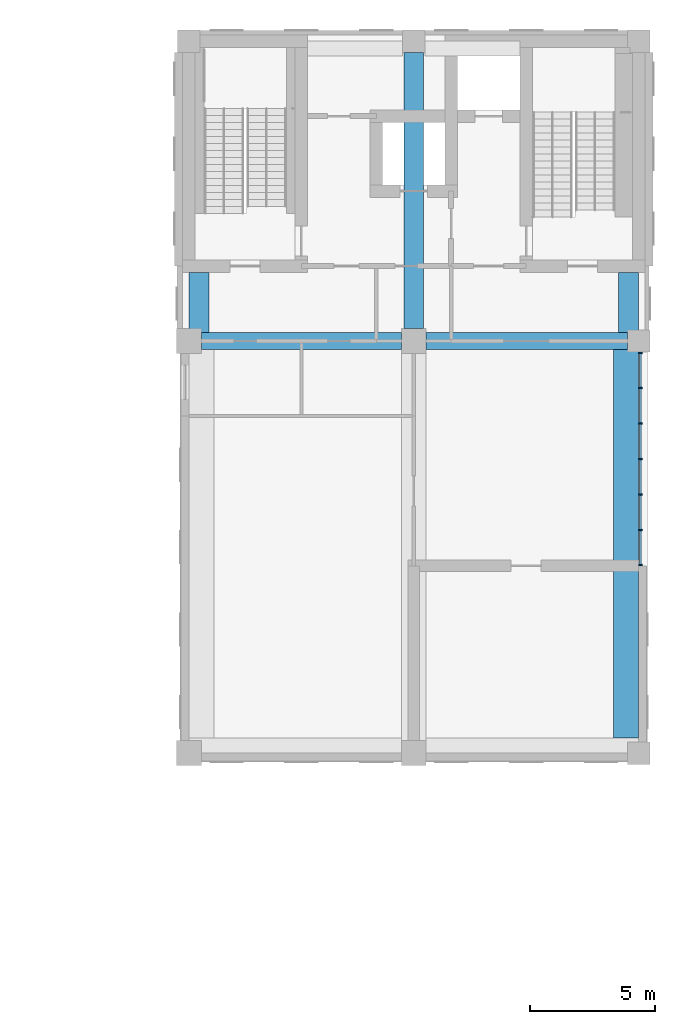
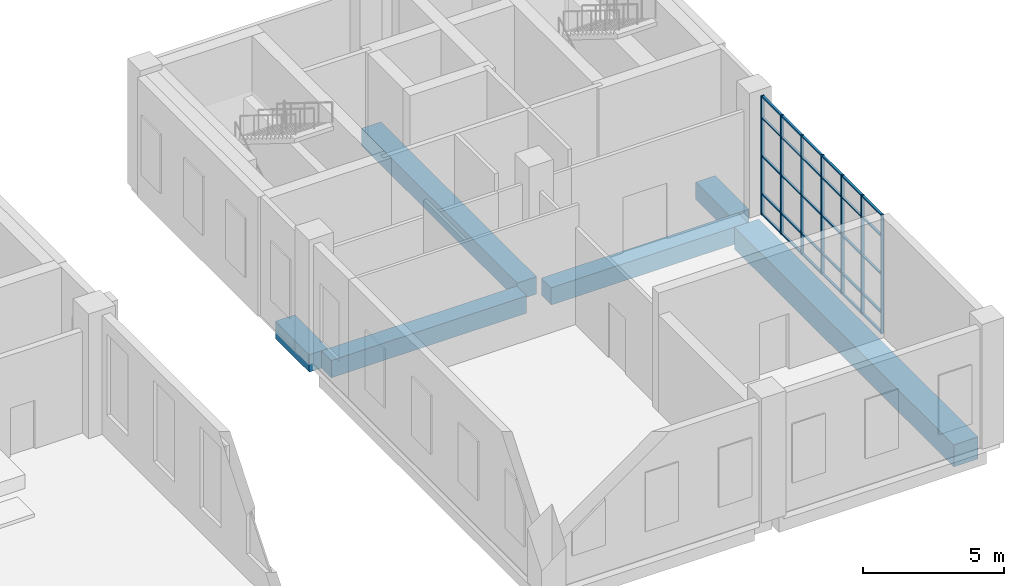
# One storey, part 7 of 37: 37 members, 6 beams, 1 element without a shape of its own.
"""IFC4 building model written with IfcOpenShell, lengths in metres."""

from ifc_helpers import new_model, si_unit, direction, frame, origin, origin_2d, place, context, subcontext, project, spatial, rectangle, extrude, material, layer, layer_set, material_profile, profile_set, type_object, element, aggregate, save


model = new_model("IFC4")

# Units and contexts
model_context = context("Model", 3, precision=1e-05, world=origin(), true_north=direction((0.0, 1.0)))
body_context = subcontext(model_context, "Body", "Model", "MODEL_VIEW")
ifc_project = project(units=[si_unit("LENGTHUNIT", "METRE"), si_unit("AREAUNIT", "SQUARE_METRE"), si_unit("VOLUMEUNIT", "CUBIC_METRE"), si_unit("PLANEANGLEUNIT", "RADIAN"), si_unit("MASSUNIT", "GRAM", prefix="KILO")], contexts=[model_context])

# Site, building, storey
site_placement = place(None, origin())
site = spatial("IfcSite", under=ifc_project, at=site_placement, CompositionType="ELEMENT")
building_placement = place(site_placement, origin())
building = spatial("IfcBuilding", under=site, at=building_placement, Name="Aurelan Courthouse", CompositionType="ELEMENT")
storey_placement = place(building_placement, frame((0.0, 0.0, 17.39990234375)))
storey = spatial("IfcBuildingStorey", under=building, at=storey_placement, Name="L03", CompositionType="ELEMENT", Elevation=17.39990234375)

# Curtain wall, members
ifc_material_1 = material(Name="Bronze-finished aluminium and glass", Category="aluminium")
ifc_layer = layer(ifc_material_1, 0.14990234375)
ifc_layer_set = layer_set([ifc_layer], Name="Bronze-finished aluminium and glass")
curtain_wall_type = type_object("IfcCurtainWallType", Name="Curtain wall 8550 x 5150", PredefinedType="NOTDEFINED", material=ifc_layer_set)
curtain_wall_placement = place(storey_placement, origin())
curtain_wall = element("IfcCurtainWall", 1, at=curtain_wall_placement, inside=storey, type_object=curtain_wall_type, Name="Curtain wall CW-V3-L03-E01", PredefinedType="NOTDEFINED")
ifc_material_2 = material(Name="Bronze-finished aluminium", Category="aluminium")
ifc_material_profile_1 = material_profile(ifc_material_2, rectangle(XDim=0.125, YDim=0.06005859375, at=origin_2d()), Name="Bronze mullion 60 x 125")
ifc_profile_set_1 = profile_set([ifc_material_profile_1], Name="Bronze-finished aluminium")
member_type_1 = type_object("IfcMemberType", Name="Curtain wall mullion 60 x 125", PredefinedType="MULLION", material=ifc_profile_set_1)
member_1_placement = place(storey_placement, frame((90.074951171875, 45.030029296875, 0.0), z_axis=(0.0, 0.0, 1.0), x_axis=(-1.0, 0.0, 0.0)))
member_1 = element("IfcMember", 2, at=member_1_placement, type_object=member_type_1, Name="CW-V3-L03-E01 mullion 1", PredefinedType="MULLION", context=body_context, shape_type="SweptSolid", body=[
    extrude(rectangle(XDim=0.125, YDim=0.06005859375, at=origin_2d()), origin(), (0.0, 0.0, 1.0), 5.150146484375),
])
member_2_placement = place(storey_placement, frame((90.074951171875, 46.425048828125, 0.0), z_axis=(0.0, 0.0, 1.0), x_axis=(-1.0, 0.0, 0.0)))
member_2 = element("IfcMember", 3, at=member_2_placement, type_object=member_type_1, Name="CW-V3-L03-E01 mullion 2", PredefinedType="MULLION", context=body_context, shape_type="SweptSolid", body=[
    extrude(rectangle(XDim=0.125, YDim=0.06005859375, at=origin_2d()), origin(), (0.0, 0.0, 1.0), 5.150146484375),
])
member_3_placement = place(storey_placement, frame((90.074951171875, 47.85009765625, 0.0), z_axis=(0.0, 0.0, 1.0), x_axis=(-1.0, 0.0, 0.0)))
member_3 = element("IfcMember", 4, at=member_3_placement, type_object=member_type_1, Name="CW-V3-L03-E01 mullion 3", PredefinedType="MULLION", context=body_context, shape_type="SweptSolid", body=[
    extrude(rectangle(XDim=0.125, YDim=0.06005859375, at=origin_2d()), origin(), (0.0, 0.0, 1.0), 5.150146484375),
])
member_4_placement = place(storey_placement, frame((90.074951171875, 49.27490234375, 0.0), z_axis=(0.0, 0.0, 1.0), x_axis=(-1.0, 0.0, 0.0)))
member_4 = element("IfcMember", 5, at=member_4_placement, type_object=member_type_1, Name="CW-V3-L03-E01 mullion 4", PredefinedType="MULLION", context=body_context, shape_type="SweptSolid", body=[
    extrude(rectangle(XDim=0.125, YDim=0.06005859375, at=origin_2d()), origin(), (0.0, 0.0, 1.0), 5.150146484375),
])
member_5_placement = place(storey_placement, frame((90.074951171875, 50.699951171875, 0.0), z_axis=(0.0, 0.0, 1.0), x_axis=(-1.0, 0.0, 0.0)))
member_5 = element("IfcMember", 6, at=member_5_placement, type_object=member_type_1, Name="CW-V3-L03-E01 mullion 5", PredefinedType="MULLION", context=body_context, shape_type="SweptSolid", body=[
    extrude(rectangle(XDim=0.125, YDim=0.06005859375, at=origin_2d()), origin(), (0.0, 0.0, 1.0), 5.150146484375),
])
member_6_placement = place(storey_placement, frame((90.074951171875, 52.125, 0.0), z_axis=(0.0, 0.0, 1.0), x_axis=(-1.0, 0.0, 0.0)))
member_6 = element("IfcMember", 7, at=member_6_placement, type_object=member_type_1, Name="CW-V3-L03-E01 mullion 6", PredefinedType="MULLION", context=body_context, shape_type="SweptSolid", body=[
    extrude(rectangle(XDim=0.125, YDim=0.06005859375, at=origin_2d()), origin(), (0.0, 0.0, 1.0), 5.150146484375),
])
member_7_placement = place(storey_placement, frame((90.074951171875, 53.52001953125, 0.0), z_axis=(0.0, 0.0, 1.0), x_axis=(-1.0, 0.0, 0.0)))
member_7 = element("IfcMember", 8, at=member_7_placement, type_object=member_type_1, Name="CW-V3-L03-E01 mullion 7", PredefinedType="MULLION", context=body_context, shape_type="SweptSolid", body=[
    extrude(rectangle(XDim=0.125, YDim=0.06005859375, at=origin_2d()), origin(), (0.0, 0.0, 1.0), 5.150146484375),
])
ifc_material_profile_2 = material_profile(ifc_material_2, rectangle(XDim=0.090087890625, YDim=0.06005859375, at=origin_2d()), Name="Bronze transom 60 x 90")
ifc_profile_set_2 = profile_set([ifc_material_profile_2], Name="Bronze-finished aluminium")
member_type_2 = type_object("IfcMemberType", Name="Curtain wall transom 60 x 90", PredefinedType="USERDEFINED", material=ifc_profile_set_2)
member_8_placement = place(storey_placement, frame((90.074951171875, 45.06005859375, 0.030029296875), z_axis=(0.0, 1.0, 0.0), x_axis=(-1.0, 0.0, 0.0)))
member_8 = element("IfcMember", 9, at=member_8_placement, type_object=member_type_2, Name="CW-V3-L03-E01 transom 1.1", ObjectType="TRANSOM", PredefinedType="USERDEFINED", context=body_context, shape_type="SweptSolid", body=[
    extrude(rectangle(XDim=0.090087890625, YDim=0.06005859375, at=origin_2d()), origin(), (0.0, 0.0, 1.0), 1.3349609375),
])
member_9_placement = place(storey_placement, frame((90.074951171875, 45.06005859375, 0.900146484375), z_axis=(0.0, 1.0, 0.0), x_axis=(-1.0, 0.0, 0.0)))
member_9 = element("IfcMember", 10, at=member_9_placement, type_object=member_type_2, Name="CW-V3-L03-E01 transom 1.2", ObjectType="TRANSOM", PredefinedType="USERDEFINED", context=body_context, shape_type="SweptSolid", body=[
    extrude(rectangle(XDim=0.090087890625, YDim=0.06005859375, at=origin_2d()), origin(), (0.0, 0.0, 1.0), 1.3349609375),
])
member_10_placement = place(storey_placement, frame((90.074951171875, 45.06005859375, 2.550048828125), z_axis=(0.0, 1.0, 0.0), x_axis=(-1.0, 0.0, 0.0)))
member_10 = element("IfcMember", 11, at=member_10_placement, type_object=member_type_2, Name="CW-V3-L03-E01 transom 1.3", ObjectType="TRANSOM", PredefinedType="USERDEFINED", context=body_context, shape_type="SweptSolid", body=[
    extrude(rectangle(XDim=0.090087890625, YDim=0.06005859375, at=origin_2d()), origin(), (0.0, 0.0, 1.0), 1.3349609375),
])
member_11_placement = place(storey_placement, frame((90.074951171875, 45.06005859375, 4.2001953125), z_axis=(0.0, 1.0, 0.0), x_axis=(-1.0, 0.0, 0.0)))
member_11 = element("IfcMember", 12, at=member_11_placement, type_object=member_type_2, Name="CW-V3-L03-E01 transom 1.4", ObjectType="TRANSOM", PredefinedType="USERDEFINED", context=body_context, shape_type="SweptSolid", body=[
    extrude(rectangle(XDim=0.090087890625, YDim=0.06005859375, at=origin_2d()), origin(), (0.0, 0.0, 1.0), 1.3349609375),
])
member_12_placement = place(storey_placement, frame((90.074951171875, 45.06005859375, 5.1201171875), z_axis=(0.0, 1.0, 0.0), x_axis=(-1.0, 0.0, 0.0)))
member_12 = element("IfcMember", 13, at=member_12_placement, type_object=member_type_2, Name="CW-V3-L03-E01 transom 1.5", ObjectType="TRANSOM", PredefinedType="USERDEFINED", context=body_context, shape_type="SweptSolid", body=[
    extrude(rectangle(XDim=0.090087890625, YDim=0.06005859375, at=origin_2d()), origin(), (0.0, 0.0, 1.0), 1.3349609375),
])
member_13_placement = place(storey_placement, frame((90.074951171875, 46.455078125, 0.030029296875), z_axis=(0.0, 1.0, 0.0), x_axis=(-1.0, 0.0, 0.0)))
member_13 = element("IfcMember", 14, at=member_13_placement, type_object=member_type_2, Name="CW-V3-L03-E01 transom 2.1", ObjectType="TRANSOM", PredefinedType="USERDEFINED", context=body_context, shape_type="SweptSolid", body=[
    extrude(rectangle(XDim=0.090087890625, YDim=0.06005859375, at=origin_2d()), origin(), (0.0, 0.0, 1.0), 1.364990234375),
])
member_14_placement = place(storey_placement, frame((90.074951171875, 46.455078125, 0.900146484375), z_axis=(0.0, 1.0, 0.0), x_axis=(-1.0, 0.0, 0.0)))
member_14 = element("IfcMember", 15, at=member_14_placement, type_object=member_type_2, Name="CW-V3-L03-E01 transom 2.2", ObjectType="TRANSOM", PredefinedType="USERDEFINED", context=body_context, shape_type="SweptSolid", body=[
    extrude(rectangle(XDim=0.090087890625, YDim=0.06005859375, at=origin_2d()), origin(), (0.0, 0.0, 1.0), 1.364990234375),
])
member_15_placement = place(storey_placement, frame((90.074951171875, 46.455078125, 2.550048828125), z_axis=(0.0, 1.0, 0.0), x_axis=(-1.0, 0.0, 0.0)))
member_15 = element("IfcMember", 16, at=member_15_placement, type_object=member_type_2, Name="CW-V3-L03-E01 transom 2.3", ObjectType="TRANSOM", PredefinedType="USERDEFINED", context=body_context, shape_type="SweptSolid", body=[
    extrude(rectangle(XDim=0.090087890625, YDim=0.06005859375, at=origin_2d()), origin(), (0.0, 0.0, 1.0), 1.364990234375),
])
member_16_placement = place(storey_placement, frame((90.074951171875, 46.455078125, 4.2001953125), z_axis=(0.0, 1.0, 0.0), x_axis=(-1.0, 0.0, 0.0)))
member_16 = element("IfcMember", 17, at=member_16_placement, type_object=member_type_2, Name="CW-V3-L03-E01 transom 2.4", ObjectType="TRANSOM", PredefinedType="USERDEFINED", context=body_context, shape_type="SweptSolid", body=[
    extrude(rectangle(XDim=0.090087890625, YDim=0.06005859375, at=origin_2d()), origin(), (0.0, 0.0, 1.0), 1.364990234375),
])
member_17_placement = place(storey_placement, frame((90.074951171875, 46.455078125, 5.1201171875), z_axis=(0.0, 1.0, 0.0), x_axis=(-1.0, 0.0, 0.0)))
member_17 = element("IfcMember", 18, at=member_17_placement, type_object=member_type_2, Name="CW-V3-L03-E01 transom 2.5", ObjectType="TRANSOM", PredefinedType="USERDEFINED", context=body_context, shape_type="SweptSolid", body=[
    extrude(rectangle(XDim=0.090087890625, YDim=0.06005859375, at=origin_2d()), origin(), (0.0, 0.0, 1.0), 1.364990234375),
])
member_18_placement = place(storey_placement, frame((90.074951171875, 47.8798828125, 0.030029296875), z_axis=(0.0, 1.0, 0.0), x_axis=(-1.0, 0.0, 0.0)))
member_18 = element("IfcMember", 19, at=member_18_placement, type_object=member_type_2, Name="CW-V3-L03-E01 transom 3.1", ObjectType="TRANSOM", PredefinedType="USERDEFINED", context=body_context, shape_type="SweptSolid", body=[
    extrude(rectangle(XDim=0.090087890625, YDim=0.06005859375, at=origin_2d()), origin(), (0.0, 0.0, 1.0), 1.365234375),
])
member_19_placement = place(storey_placement, frame((90.074951171875, 47.8798828125, 0.900146484375), z_axis=(0.0, 1.0, 0.0), x_axis=(-1.0, 0.0, 0.0)))
member_19 = element("IfcMember", 20, at=member_19_placement, type_object=member_type_2, Name="CW-V3-L03-E01 transom 3.2", ObjectType="TRANSOM", PredefinedType="USERDEFINED", context=body_context, shape_type="SweptSolid", body=[
    extrude(rectangle(XDim=0.090087890625, YDim=0.06005859375, at=origin_2d()), origin(), (0.0, 0.0, 1.0), 1.365234375),
])
member_20_placement = place(storey_placement, frame((90.074951171875, 47.8798828125, 2.550048828125), z_axis=(0.0, 1.0, 0.0), x_axis=(-1.0, 0.0, 0.0)))
member_20 = element("IfcMember", 21, at=member_20_placement, type_object=member_type_2, Name="CW-V3-L03-E01 transom 3.3", ObjectType="TRANSOM", PredefinedType="USERDEFINED", context=body_context, shape_type="SweptSolid", body=[
    extrude(rectangle(XDim=0.090087890625, YDim=0.06005859375, at=origin_2d()), origin(), (0.0, 0.0, 1.0), 1.365234375),
])
member_21_placement = place(storey_placement, frame((90.074951171875, 47.8798828125, 4.2001953125), z_axis=(0.0, 1.0, 0.0), x_axis=(-1.0, 0.0, 0.0)))
member_21 = element("IfcMember", 22, at=member_21_placement, type_object=member_type_2, Name="CW-V3-L03-E01 transom 3.4", ObjectType="TRANSOM", PredefinedType="USERDEFINED", context=body_context, shape_type="SweptSolid", body=[
    extrude(rectangle(XDim=0.090087890625, YDim=0.06005859375, at=origin_2d()), origin(), (0.0, 0.0, 1.0), 1.365234375),
])
member_22_placement = place(storey_placement, frame((90.074951171875, 47.8798828125, 5.1201171875), z_axis=(0.0, 1.0, 0.0), x_axis=(-1.0, 0.0, 0.0)))
member_22 = element("IfcMember", 23, at=member_22_placement, type_object=member_type_2, Name="CW-V3-L03-E01 transom 3.5", ObjectType="TRANSOM", PredefinedType="USERDEFINED", context=body_context, shape_type="SweptSolid", body=[
    extrude(rectangle(XDim=0.090087890625, YDim=0.06005859375, at=origin_2d()), origin(), (0.0, 0.0, 1.0), 1.365234375),
])
member_23_placement = place(storey_placement, frame((90.074951171875, 49.304931640625, 0.030029296875), z_axis=(0.0, 1.0, 0.0), x_axis=(-1.0, 0.0, 0.0)))
member_23 = element("IfcMember", 24, at=member_23_placement, type_object=member_type_2, Name="CW-V3-L03-E01 transom 4.1", ObjectType="TRANSOM", PredefinedType="USERDEFINED", context=body_context, shape_type="SweptSolid", body=[
    extrude(rectangle(XDim=0.090087890625, YDim=0.06005859375, at=origin_2d()), origin(), (0.0, 0.0, 1.0), 1.364990234375),
])
member_24_placement = place(storey_placement, frame((90.074951171875, 49.304931640625, 0.900146484375), z_axis=(0.0, 1.0, 0.0), x_axis=(-1.0, 0.0, 0.0)))
member_24 = element("IfcMember", 25, at=member_24_placement, type_object=member_type_2, Name="CW-V3-L03-E01 transom 4.2", ObjectType="TRANSOM", PredefinedType="USERDEFINED", context=body_context, shape_type="SweptSolid", body=[
    extrude(rectangle(XDim=0.090087890625, YDim=0.06005859375, at=origin_2d()), origin(), (0.0, 0.0, 1.0), 1.364990234375),
])
member_25_placement = place(storey_placement, frame((90.074951171875, 49.304931640625, 2.550048828125), z_axis=(0.0, 1.0, 0.0), x_axis=(-1.0, 0.0, 0.0)))
member_25 = element("IfcMember", 26, at=member_25_placement, type_object=member_type_2, Name="CW-V3-L03-E01 transom 4.3", ObjectType="TRANSOM", PredefinedType="USERDEFINED", context=body_context, shape_type="SweptSolid", body=[
    extrude(rectangle(XDim=0.090087890625, YDim=0.06005859375, at=origin_2d()), origin(), (0.0, 0.0, 1.0), 1.364990234375),
])
member_26_placement = place(storey_placement, frame((90.074951171875, 49.304931640625, 4.2001953125), z_axis=(0.0, 1.0, 0.0), x_axis=(-1.0, 0.0, 0.0)))
member_26 = element("IfcMember", 27, at=member_26_placement, type_object=member_type_2, Name="CW-V3-L03-E01 transom 4.4", ObjectType="TRANSOM", PredefinedType="USERDEFINED", context=body_context, shape_type="SweptSolid", body=[
    extrude(rectangle(XDim=0.090087890625, YDim=0.06005859375, at=origin_2d()), origin(), (0.0, 0.0, 1.0), 1.364990234375),
])
member_27_placement = place(storey_placement, frame((90.074951171875, 49.304931640625, 5.1201171875), z_axis=(0.0, 1.0, 0.0), x_axis=(-1.0, 0.0, 0.0)))
member_27 = element("IfcMember", 28, at=member_27_placement, type_object=member_type_2, Name="CW-V3-L03-E01 transom 4.5", ObjectType="TRANSOM", PredefinedType="USERDEFINED", context=body_context, shape_type="SweptSolid", body=[
    extrude(rectangle(XDim=0.090087890625, YDim=0.06005859375, at=origin_2d()), origin(), (0.0, 0.0, 1.0), 1.364990234375),
])
member_28_placement = place(storey_placement, frame((90.074951171875, 50.72998046875, 0.030029296875), z_axis=(0.0, 1.0, 0.0), x_axis=(-1.0, 0.0, 0.0)))
member_28 = element("IfcMember", 29, at=member_28_placement, type_object=member_type_2, Name="CW-V3-L03-E01 transom 5.1", ObjectType="TRANSOM", PredefinedType="USERDEFINED", context=body_context, shape_type="SweptSolid", body=[
    extrude(rectangle(XDim=0.090087890625, YDim=0.06005859375, at=origin_2d()), origin(), (0.0, 0.0, 1.0), 1.364990234375),
])
member_29_placement = place(storey_placement, frame((90.074951171875, 50.72998046875, 0.900146484375), z_axis=(0.0, 1.0, 0.0), x_axis=(-1.0, 0.0, 0.0)))
member_29 = element("IfcMember", 30, at=member_29_placement, type_object=member_type_2, Name="CW-V3-L03-E01 transom 5.2", ObjectType="TRANSOM", PredefinedType="USERDEFINED", context=body_context, shape_type="SweptSolid", body=[
    extrude(rectangle(XDim=0.090087890625, YDim=0.06005859375, at=origin_2d()), origin(), (0.0, 0.0, 1.0), 1.364990234375),
])
member_30_placement = place(storey_placement, frame((90.074951171875, 50.72998046875, 2.550048828125), z_axis=(0.0, 1.0, 0.0), x_axis=(-1.0, 0.0, 0.0)))
member_30 = element("IfcMember", 31, at=member_30_placement, type_object=member_type_2, Name="CW-V3-L03-E01 transom 5.3", ObjectType="TRANSOM", PredefinedType="USERDEFINED", context=body_context, shape_type="SweptSolid", body=[
    extrude(rectangle(XDim=0.090087890625, YDim=0.06005859375, at=origin_2d()), origin(), (0.0, 0.0, 1.0), 1.364990234375),
])
member_31_placement = place(storey_placement, frame((90.074951171875, 50.72998046875, 4.2001953125), z_axis=(0.0, 1.0, 0.0), x_axis=(-1.0, 0.0, 0.0)))
member_31 = element("IfcMember", 32, at=member_31_placement, type_object=member_type_2, Name="CW-V3-L03-E01 transom 5.4", ObjectType="TRANSOM", PredefinedType="USERDEFINED", context=body_context, shape_type="SweptSolid", body=[
    extrude(rectangle(XDim=0.090087890625, YDim=0.06005859375, at=origin_2d()), origin(), (0.0, 0.0, 1.0), 1.364990234375),
])
member_32_placement = place(storey_placement, frame((90.074951171875, 50.72998046875, 5.1201171875), z_axis=(0.0, 1.0, 0.0), x_axis=(-1.0, 0.0, 0.0)))
member_32 = element("IfcMember", 33, at=member_32_placement, type_object=member_type_2, Name="CW-V3-L03-E01 transom 5.5", ObjectType="TRANSOM", PredefinedType="USERDEFINED", context=body_context, shape_type="SweptSolid", body=[
    extrude(rectangle(XDim=0.090087890625, YDim=0.06005859375, at=origin_2d()), origin(), (0.0, 0.0, 1.0), 1.364990234375),
])
member_33_placement = place(storey_placement, frame((90.074951171875, 52.155029296875, 0.030029296875), z_axis=(0.0, 1.0, 0.0), x_axis=(-1.0, 0.0, 0.0)))
member_33 = element("IfcMember", 34, at=member_33_placement, type_object=member_type_2, Name="CW-V3-L03-E01 transom 6.1", ObjectType="TRANSOM", PredefinedType="USERDEFINED", context=body_context, shape_type="SweptSolid", body=[
    extrude(rectangle(XDim=0.090087890625, YDim=0.06005859375, at=origin_2d()), origin(), (0.0, 0.0, 1.0), 1.3349609375),
])
member_34_placement = place(storey_placement, frame((90.074951171875, 52.155029296875, 0.900146484375), z_axis=(0.0, 1.0, 0.0), x_axis=(-1.0, 0.0, 0.0)))
member_34 = element("IfcMember", 35, at=member_34_placement, type_object=member_type_2, Name="CW-V3-L03-E01 transom 6.2", ObjectType="TRANSOM", PredefinedType="USERDEFINED", context=body_context, shape_type="SweptSolid", body=[
    extrude(rectangle(XDim=0.090087890625, YDim=0.06005859375, at=origin_2d()), origin(), (0.0, 0.0, 1.0), 1.3349609375),
])
member_35_placement = place(storey_placement, frame((90.074951171875, 52.155029296875, 2.550048828125), z_axis=(0.0, 1.0, 0.0), x_axis=(-1.0, 0.0, 0.0)))
member_35 = element("IfcMember", 36, at=member_35_placement, type_object=member_type_2, Name="CW-V3-L03-E01 transom 6.3", ObjectType="TRANSOM", PredefinedType="USERDEFINED", context=body_context, shape_type="SweptSolid", body=[
    extrude(rectangle(XDim=0.090087890625, YDim=0.06005859375, at=origin_2d()), origin(), (0.0, 0.0, 1.0), 1.3349609375),
])
member_36_placement = place(storey_placement, frame((90.074951171875, 52.155029296875, 4.2001953125), z_axis=(0.0, 1.0, 0.0), x_axis=(-1.0, 0.0, 0.0)))
member_36 = element("IfcMember", 37, at=member_36_placement, type_object=member_type_2, Name="CW-V3-L03-E01 transom 6.4", ObjectType="TRANSOM", PredefinedType="USERDEFINED", context=body_context, shape_type="SweptSolid", body=[
    extrude(rectangle(XDim=0.090087890625, YDim=0.06005859375, at=origin_2d()), origin(), (0.0, 0.0, 1.0), 1.3349609375),
])
member_37_placement = place(storey_placement, frame((90.074951171875, 52.155029296875, 5.1201171875), z_axis=(0.0, 1.0, 0.0), x_axis=(-1.0, 0.0, 0.0)))
member_37 = element("IfcMember", 38, at=member_37_placement, type_object=member_type_2, Name="CW-V3-L03-E01 transom 6.5", ObjectType="TRANSOM", PredefinedType="USERDEFINED", context=body_context, shape_type="SweptSolid", body=[
    extrude(rectangle(XDim=0.090087890625, YDim=0.06005859375, at=origin_2d()), origin(), (0.0, 0.0, 1.0), 1.3349609375),
])
aggregate(curtain_wall, [member_1, member_2, member_3, member_4, member_5, member_6, member_7, member_8, member_9, member_10, member_11, member_12, member_13, member_14, member_15, member_16, member_17, member_18, member_19, member_20, member_21, member_22, member_23, member_24, member_25, member_26, member_27, member_28, member_29, member_30, member_31, member_32, member_33, member_34, member_35, member_36, member_37])

# Beams
ifc_material_3 = material(Name="Concrete C50", Category="concrete")
ifc_material_profile_3 = material_profile(ifc_material_3, rectangle(XDim=0.699951171875, YDim=0.75, at=origin_2d()), Name="RC 700 x 750")
ifc_profile_set_3 = profile_set([ifc_material_profile_3], Name="Concrete C50")
beam_type_1 = type_object("IfcBeamType", Name="PT beam 700 x 750", PredefinedType="BEAM", material=ifc_profile_set_3)
beam_1_placement = place(storey_placement, frame((72.5, 54.0, -0.625), z_axis=(1.0, 0.0, 0.0), x_axis=(0.0, 1.0, 0.0)))
element("IfcBeam", 39, at=beam_1_placement, inside=storey, type_object=beam_type_1, Name="Beam EB-E-9-10", PredefinedType="BEAM", context=body_context, shape_type="SweptSolid", body=[
    extrude(rectangle(XDim=0.699951171875, YDim=0.75, at=origin_2d()), origin(), (0.0, 0.0, 1.0), 8.0),
])
beam_2_placement = place(storey_placement, frame((81.5, 54.0, -0.625), z_axis=(1.0, 0.0, 0.0), x_axis=(0.0, 1.0, 0.0)))
element("IfcBeam", 40, at=beam_2_placement, inside=storey, type_object=beam_type_1, Name="Beam EB-E-10-11", PredefinedType="BEAM", context=body_context, shape_type="SweptSolid", body=[
    extrude(rectangle(XDim=0.699951171875, YDim=0.75, at=origin_2d()), origin(), (0.0, 0.0, 1.0), 8.050048828125),
])
ifc_material_profile_4 = material_profile(ifc_material_3, rectangle(XDim=1.0, YDim=0.949951171875, at=origin_2d()), Name="RC 1000 x 950")
ifc_profile_set_4 = profile_set([ifc_material_profile_4], Name="Concrete C50")
beam_type_2 = type_object("IfcBeamType", Name="PT girder 1000 x 950", PredefinedType="BEAM", material=ifc_profile_set_4)
beam_3_placement = place(storey_placement, frame((89.5, 38.10009765625, -0.724853515625), z_axis=(0.0, 1.0, 0.0), x_axis=(-1.0, 0.0, 0.0)))
element("IfcBeam", 41, at=beam_3_placement, inside=storey, type_object=beam_type_2, Name="Girder GB-11DE-E", PredefinedType="BEAM", context=body_context, shape_type="SweptSolid", body=[
    extrude(rectangle(XDim=1.0, YDim=0.949951171875, at=origin_2d()), origin(), (0.0, 0.0, 1.0), 15.5498046875),
])
ifc_material_profile_5 = material_profile(ifc_material_3, rectangle(XDim=0.800048828125, YDim=0.75, at=origin_2d()), Name="RC 800 x 750")
ifc_profile_set_5 = profile_set([ifc_material_profile_5], Name="Concrete C50")
beam_type_3 = type_object("IfcBeamType", Name="PT girder 800 x 750", PredefinedType="BEAM", material=ifc_profile_set_5)
beam_4_placement = place(storey_placement, frame((72.39990234375, 54.35009765625, -0.625), z_axis=(0.0, 1.0, 0.0), x_axis=(-1.0, 0.0, 0.0)))
element("IfcBeam", 42, at=beam_4_placement, inside=storey, type_object=beam_type_3, Name="Girder GB-9EF-E", PredefinedType="BEAM", context=body_context, shape_type="SweptSolid", body=[
    extrude(rectangle(XDim=0.800048828125, YDim=0.75, at=origin_2d()), origin(), (0.0, 0.0, 1.0), 2.39990234375),
])
beam_5_placement = place(storey_placement, frame((81.0, 54.5, -0.625), z_axis=(0.0, 1.0, 0.0), x_axis=(-1.0, 0.0, 0.0)))
element("IfcBeam", 43, at=beam_5_placement, inside=storey, type_object=beam_type_3, Name="Girder GB-10EF", PredefinedType="BEAM", context=body_context, shape_type="SweptSolid", body=[
    extrude(rectangle(XDim=0.800048828125, YDim=0.75, at=origin_2d()), origin(), (0.0, 0.0, 1.0), 11.050048828125),
])
beam_6_placement = place(storey_placement, frame((89.60009765625, 54.35009765625, -0.625), z_axis=(0.0, 1.0, 0.0), x_axis=(-1.0, 0.0, 0.0)))
element("IfcBeam", 44, at=beam_6_placement, inside=storey, type_object=beam_type_3, Name="Girder GB-11EF-E", PredefinedType="BEAM", context=body_context, shape_type="SweptSolid", body=[
    extrude(rectangle(XDim=0.800048828125, YDim=0.75, at=origin_2d()), origin(), (0.0, 0.0, 1.0), 2.39990234375),
])

save(model, "model.ifc")
